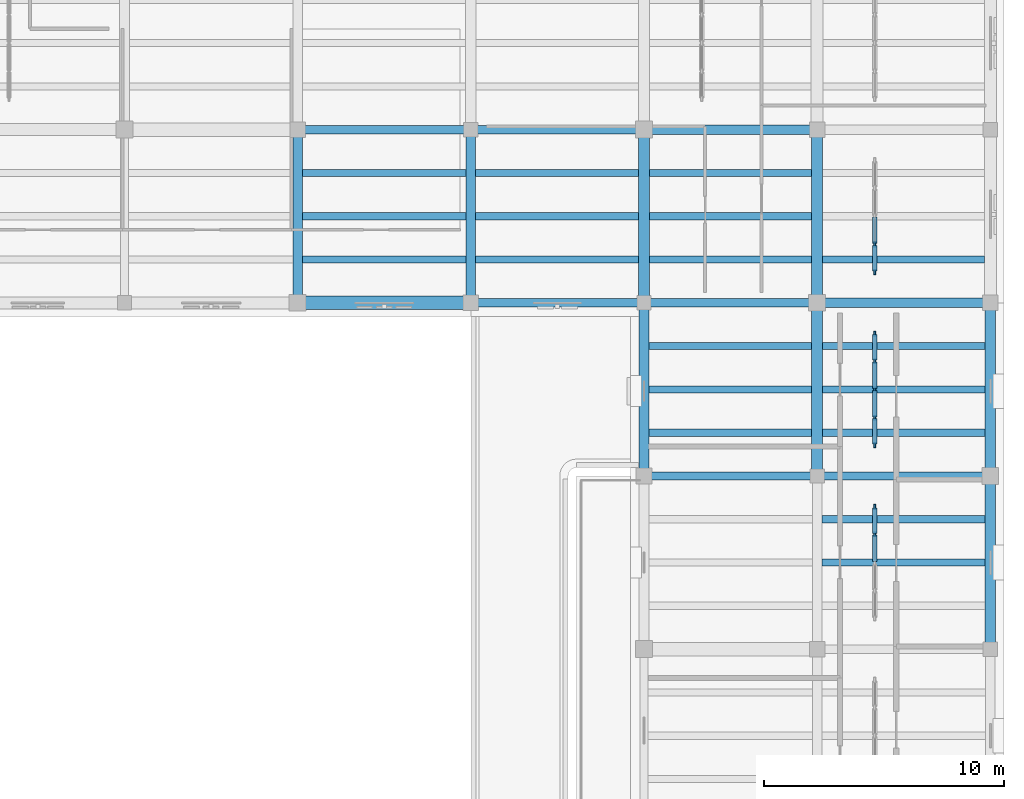
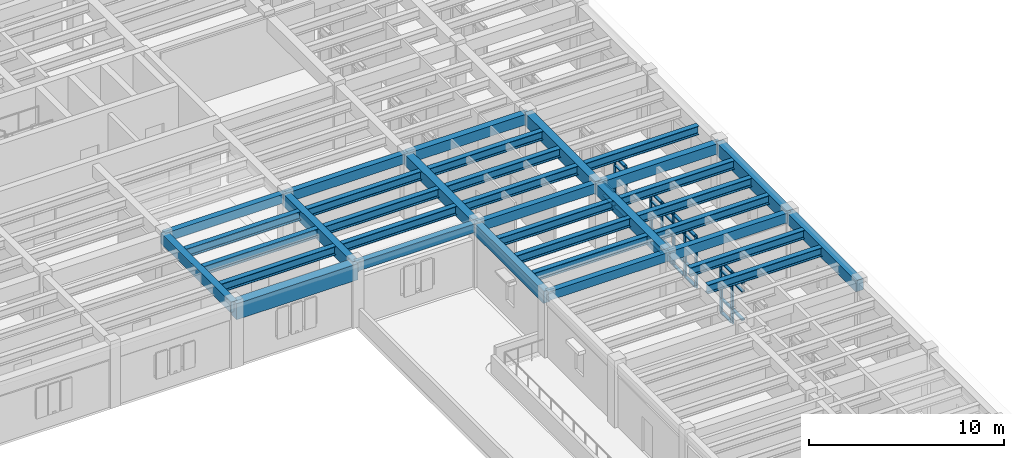
# One storey, part 8 of 40: 38 members, 35 beams, 3 elements without a shape of their own.
"""IFC4 building model written with IfcOpenShell, lengths in metres."""

from ifc_helpers import new_model, si_unit, direction, frame, origin, origin_2d, place, context, subcontext, project, spatial, rectangle, i_section, extrude, material, material_profile, profile_set, type_object, element, aggregate, save


model = new_model("IFC4")

# Units and contexts
model_context = context("Model", 3, precision=1e-05, world=origin(), true_north=direction((0.0, 1.0)))
body_context = subcontext(model_context, "Body", "Model", "MODEL_VIEW")
ifc_project = project(units=[si_unit("LENGTHUNIT", "METRE"), si_unit("AREAUNIT", "SQUARE_METRE"), si_unit("VOLUMEUNIT", "CUBIC_METRE"), si_unit("PLANEANGLEUNIT", "RADIAN"), si_unit("MASSUNIT", "GRAM", prefix="KILO")], contexts=[model_context])

# Site, building, storey
site_placement = place(None, origin())
site = spatial("IfcSite", under=ifc_project, at=site_placement, CompositionType="ELEMENT")
building_placement = place(site_placement, origin())
building = spatial("IfcBuilding", under=site, at=building_placement, Name="Mithqara Police Headquarters", CompositionType="ELEMENT")
storey_placement = place(building_placement, frame((0.0, 0.0, 13.800048828125)))
storey = spatial("IfcBuildingStorey", under=building, at=storey_placement, Name="L03", CompositionType="ELEMENT", Elevation=13.800048828125)

# Beams
ifc_material_1 = material(Name="Steel S355JR", Category="steel")
ifc_material_profile_1 = material_profile(ifc_material_1, i_section(OverallWidth=0.300048828125, OverallDepth=0.550048828125, WebThickness=0.014892578125, FlangeThickness=0.029052734375, FilletRadius=0.027099609375, at=origin_2d()), Name="HEB 550")
ifc_profile_set_1 = profile_set([ifc_material_profile_1], Name="Steel S355JR")
beam_type_1 = type_object("IfcBeamType", Name="BEAM HEB550", PredefinedType="BEAM", material=ifc_profile_set_1)
for number, where, z_axis, x_axis, name in (
    (1, (137.60009765625, 80.39990234375, 3.6650390625), (1.0, 0.0, 0.0), (0.0, 1.0, 0.0), "L03 Composite Steel Joist 20-21/M.1"),
    (2, (137.60009765625, 82.199951171875, 3.6650390625), (1.0, 0.0, 0.0), (0.0, 1.0, 0.0), "L03 Composite Steel Joist 20-21/M.2"),
    (3, (137.60009765625, 84.0, 3.6650390625), (1.0, 0.0, 0.0), (0.0, 1.0, 0.0), "L03 Composite Steel Joist 20-21/M.3"),
):
    element("IfcBeam", number, at=place(storey_placement, frame(where, z_axis=z_axis, x_axis=x_axis)), inside=storey, type_object=beam_type_1, Name=name, PredefinedType="BEAM", context=body_context, shape_type="SweptSolid", body=[
        extrude(i_section(OverallWidth=0.300048828125, OverallDepth=0.550048828125, WebThickness=0.014892578125, FlangeThickness=0.029052734375, FilletRadius=0.027099609375, at=origin_2d()), origin(), (0.0, 0.0, 1.0), 6.7998046875),
    ])
for number, where, z_axis, x_axis, name in (
    (4, (144.800048828125, 80.39990234375, 3.6650390625), (1.0, 0.0, 0.0), (0.0, 1.0, 0.0), "L03 Composite Steel Joist 21-22/M.1"),
    (5, (144.800048828125, 82.199951171875, 3.6650390625), (1.0, 0.0, 0.0), (0.0, 1.0, 0.0), "L03 Composite Steel Joist 21-22/M.2"),
    (6, (144.800048828125, 84.0, 3.6650390625), (1.0, 0.0, 0.0), (0.0, 1.0, 0.0), "L03 Composite Steel Joist 21-22/M.3"),
    (7, (152.0, 73.199951171875, 3.6650390625), (1.0, 0.0, 0.0), (0.0, 1.0, 0.0), "L03 Composite Steel Joist 22-23/L.1"),
    (8, (152.0, 75.0, 3.6650390625), (1.0, 0.0, 0.0), (0.0, 1.0, 0.0), "L03 Composite Steel Joist 22-23/L.2"),
    (9, (152.0, 76.800048828125, 3.6650390625), (1.0, 0.0, 0.0), (0.0, 1.0, 0.0), "L03 Composite Steel Joist 22-23/L.3"),
):
    element("IfcBeam", number, at=place(storey_placement, frame(where, z_axis=z_axis, x_axis=x_axis)), inside=storey, type_object=beam_type_1, Name=name, PredefinedType="BEAM", context=body_context, shape_type="SweptSolid", body=[
        extrude(i_section(OverallWidth=0.300048828125, OverallDepth=0.550048828125, WebThickness=0.014892578125, FlangeThickness=0.029052734375, FilletRadius=0.027099609375, at=origin_2d()), origin(), (0.0, 0.0, 1.0), 6.77490234375),
    ])
for number, where, z_axis, x_axis, name in (
    (10, (152.02490234375, 80.39990234375, 3.6650390625), (1.0, 0.0, 0.0), (0.0, 1.0, 0.0), "L03 Composite Steel Joist 22-23/M.1"),
    (11, (152.02490234375, 82.199951171875, 3.6650390625), (1.0, 0.0, 0.0), (0.0, 1.0, 0.0), "L03 Composite Steel Joist 22-23/M.2"),
    (12, (152.02490234375, 84.0, 3.6650390625), (1.0, 0.0, 0.0), (0.0, 1.0, 0.0), "L03 Composite Steel Joist 22-23/M.3"),
):
    element("IfcBeam", number, at=place(storey_placement, frame(where, z_axis=z_axis, x_axis=x_axis)), inside=storey, type_object=beam_type_1, Name=name, PredefinedType="BEAM", context=body_context, shape_type="SweptSolid", body=[
        extrude(i_section(OverallWidth=0.300048828125, OverallDepth=0.550048828125, WebThickness=0.014892578125, FlangeThickness=0.029052734375, FilletRadius=0.027099609375, at=origin_2d()), origin(), (0.0, 0.0, 1.0), 6.75),
    ])
for number, where, z_axis, x_axis, name in (
    (13, (159.199951171875, 67.800048828125, 3.6650390625), (1.0, 0.0, 0.0), (0.0, 1.0, 0.0), "L03 Composite Steel Joist 23-24/K.2"),
    (14, (159.199951171875, 69.60009765625, 3.6650390625), (1.0, 0.0, 0.0), (0.0, 1.0, 0.0), "L03 Composite Steel Joist 23-24/K.3"),
):
    element("IfcBeam", number, at=place(storey_placement, frame(where, z_axis=z_axis, x_axis=x_axis)), inside=storey, type_object=beam_type_1, Name=name, PredefinedType="BEAM", context=body_context, shape_type="SweptSolid", body=[
        extrude(i_section(OverallWidth=0.300048828125, OverallDepth=0.550048828125, WebThickness=0.014892578125, FlangeThickness=0.029052734375, FilletRadius=0.027099609375, at=origin_2d()), origin(), (0.0, 0.0, 1.0), 6.775146484375),
    ])
for number, where, z_axis, x_axis, name in (
    (15, (159.22509765625, 73.199951171875, 3.6650390625), (1.0, 0.0, 0.0), (0.0, 1.0, 0.0), "L03 Composite Steel Joist 23-24/L.1"),
    (16, (159.22509765625, 75.0, 3.6650390625), (1.0, 0.0, 0.0), (0.0, 1.0, 0.0), "L03 Composite Steel Joist 23-24/L.2"),
    (17, (159.22509765625, 76.800048828125, 3.6650390625), (1.0, 0.0, 0.0), (0.0, 1.0, 0.0), "L03 Composite Steel Joist 23-24/L.3"),
):
    element("IfcBeam", number, at=place(storey_placement, frame(where, z_axis=z_axis, x_axis=x_axis)), inside=storey, type_object=beam_type_1, Name=name, PredefinedType="BEAM", context=body_context, shape_type="SweptSolid", body=[
        extrude(i_section(OverallWidth=0.300048828125, OverallDepth=0.550048828125, WebThickness=0.014892578125, FlangeThickness=0.029052734375, FilletRadius=0.027099609375, at=origin_2d()), origin(), (0.0, 0.0, 1.0), 6.75),
    ])
beam_1_placement = place(storey_placement, frame((159.22509765625, 80.39990234375, 3.6650390625), z_axis=(1.0, 0.0, 0.0), x_axis=(0.0, 1.0, 0.0)))
element("IfcBeam", 18, at=beam_1_placement, inside=storey, type_object=beam_type_1, Name="L03 Composite Steel Joist 23-24/M.1", PredefinedType="BEAM", context=body_context, shape_type="SweptSolid", body=[
    extrude(i_section(OverallWidth=0.300048828125, OverallDepth=0.550048828125, WebThickness=0.014892578125, FlangeThickness=0.029052734375, FilletRadius=0.027099609375, at=origin_2d()), origin(), (0.0, 0.0, 1.0), 6.724853515625),
])
ifc_material_2 = material(Name="Concrete C40/50", Category="concrete")
ifc_material_profile_2 = material_profile(ifc_material_2, rectangle(XDim=0.35009765625, YDim=0.550048828125, at=origin_2d()), Name="RC 350x550")
ifc_profile_set_2 = profile_set([ifc_material_profile_2], Name="Concrete C40/50")
beam_type_2 = type_object("IfcBeamType", Name="BEAM RC350X550", PredefinedType="BEAM", material=ifc_profile_set_2)
beam_2_placement = place(storey_placement, frame((137.39990234375, 85.800048828125, 3.6650390625), z_axis=(1.0, 0.0, 0.0), x_axis=(0.0, 1.0, 0.0)))
element("IfcBeam", 19, at=beam_2_placement, inside=storey, type_object=beam_type_2, Name="L03 Girder 20-21/N", PredefinedType="BEAM", context=body_context, shape_type="SweptSolid", body=[
    extrude(rectangle(XDim=0.35009765625, YDim=0.550048828125, at=origin_2d()), origin(), (0.0, 0.0, 1.0), 7.2001953125),
])
for number, where, z_axis, x_axis, name in (
    (20, (144.60009765625, 78.60009765625, 3.6650390625), (1.0, 0.0, 0.0), (0.0, 1.0, 0.0), "L03 Girder 21-22/M"),
    (21, (151.800048828125, 71.39990234375, 3.6650390625), (1.0, 0.0, 0.0), (0.0, 1.0, 0.0), "L03 Girder 22-23/L"),
):
    element("IfcBeam", number, at=place(storey_placement, frame(where, z_axis=z_axis, x_axis=x_axis)), inside=storey, type_object=beam_type_2, Name=name, PredefinedType="BEAM", context=body_context, shape_type="SweptSolid", body=[
        extrude(rectangle(XDim=0.35009765625, YDim=0.550048828125, at=origin_2d()), origin(), (0.0, 0.0, 1.0), 7.199951171875),
    ])
ifc_material_profile_3 = material_profile(ifc_material_2, rectangle(XDim=0.35009765625, YDim=0.60009765625, at=origin_2d()), Name="RC 350x600")
ifc_profile_set_3 = profile_set([ifc_material_profile_3], Name="Concrete C40/50")
beam_type_3 = type_object("IfcBeamType", Name="BEAM RC350X600", PredefinedType="BEAM", material=ifc_profile_set_3)
for number, where, z_axis, x_axis, name in (
    (22, (144.60009765625, 85.800048828125, 3.639892578125), (1.0, 0.0, 0.0), (0.0, 1.0, 0.0), "L03 Girder 21-22/N"),
    (23, (151.800048828125, 78.60009765625, 3.639892578125), (1.0, 0.0, 0.0), (0.0, 1.0, 0.0), "L03 Girder 22-23/M"),
    (24, (159.0, 71.39990234375, 3.639892578125), (1.0, 0.0, 0.0), (0.0, 1.0, 0.0), "L03 Girder 23-24/L"),
):
    element("IfcBeam", number, at=place(storey_placement, frame(where, z_axis=z_axis, x_axis=x_axis)), inside=storey, type_object=beam_type_3, Name=name, PredefinedType="BEAM", context=body_context, shape_type="SweptSolid", body=[
        extrude(rectangle(XDim=0.35009765625, YDim=0.60009765625, at=origin_2d()), origin(), (0.0, 0.0, 1.0), 7.199951171875),
    ])
ifc_material_profile_4 = material_profile(ifc_material_2, rectangle(XDim=0.39990234375, YDim=0.64990234375, at=origin_2d()), Name="RC 400x650")
ifc_profile_set_4 = profile_set([ifc_material_profile_4], Name="Concrete C40/50")
beam_type_4 = type_object("IfcBeamType", Name="BEAM RC400X650", PredefinedType="BEAM", material=ifc_profile_set_4)
for number, where, z_axis, x_axis, name in (
    (25, (137.39990234375, 78.60009765625, 3.614990234375), (0.0, 1.0, 0.0), (-1.0, 0.0, 0.0), "L03 Girder 20/M-N"),
    (26, (151.800048828125, 85.800048828125, 3.614990234375), (1.0, 0.0, 0.0), (0.0, 1.0, 0.0), "L03 Girder 22-23/N"),
    (27, (159.0, 78.60009765625, 3.614990234375), (1.0, 0.0, 0.0), (0.0, 1.0, 0.0), "L03 Girder 23-24/M"),
):
    element("IfcBeam", number, at=place(storey_placement, frame(where, z_axis=z_axis, x_axis=x_axis)), inside=storey, type_object=beam_type_4, Name=name, PredefinedType="BEAM", context=body_context, shape_type="SweptSolid", body=[
        extrude(rectangle(XDim=0.39990234375, YDim=0.64990234375, at=origin_2d()), origin(), (0.0, 0.0, 1.0), 7.199951171875),
    ])
ifc_material_profile_5 = material_profile(ifc_material_2, rectangle(XDim=0.39990234375, YDim=0.75, at=origin_2d()), Name="RC 400x750")
ifc_profile_set_5 = profile_set([ifc_material_profile_5], Name="Concrete C40/50")
beam_type_5 = type_object("IfcBeamType", Name="BEAM RC400X750", PredefinedType="BEAM", material=ifc_profile_set_5)
beam_3_placement = place(storey_placement, frame((144.60009765625, 78.60009765625, 3.56494140625), z_axis=(0.0, 1.0, 0.0), x_axis=(-1.0, 0.0, 0.0)))
element("IfcBeam", 28, at=beam_3_placement, inside=storey, type_object=beam_type_5, Name="L03 Girder 21/M-N", PredefinedType="BEAM", context=body_context, shape_type="SweptSolid", body=[
    extrude(rectangle(XDim=0.39990234375, YDim=0.75, at=origin_2d()), origin(), (0.0, 0.0, 1.0), 7.199951171875),
])
beam_4_placement = place(storey_placement, frame((151.800048828125, 71.39990234375, 3.56494140625), z_axis=(0.0, 1.0, 0.0), x_axis=(-1.0, 0.0, 0.0)))
element("IfcBeam", 29, at=beam_4_placement, inside=storey, type_object=beam_type_5, Name="L03 Girder 22/L-M", PredefinedType="BEAM", context=body_context, shape_type="SweptSolid", body=[
    extrude(rectangle(XDim=0.39990234375, YDim=0.75, at=origin_2d()), origin(), (0.0, 0.0, 1.0), 7.2001953125),
])
ifc_material_profile_6 = material_profile(ifc_material_2, rectangle(XDim=0.449951171875, YDim=0.699951171875, at=origin_2d()), Name="RC 450x700")
ifc_profile_set_6 = profile_set([ifc_material_profile_6], Name="Concrete C40/50")
beam_type_6 = type_object("IfcBeamType", Name="BEAM RC450X700", PredefinedType="BEAM", material=ifc_profile_set_6)
beam_5_placement = place(storey_placement, frame((151.800048828125, 78.60009765625, 3.58984375), z_axis=(0.0, 1.0, 0.0), x_axis=(-1.0, 0.0, 0.0)))
element("IfcBeam", 30, at=beam_5_placement, inside=storey, type_object=beam_type_6, Name="L03 Girder 22/M-N", PredefinedType="BEAM", context=body_context, shape_type="SweptSolid", body=[
    extrude(rectangle(XDim=0.449951171875, YDim=0.699951171875, at=origin_2d()), origin(), (0.0, 0.0, 1.0), 7.199951171875),
])
beam_6_placement = place(storey_placement, frame((159.0, 71.39990234375, 3.58984375), z_axis=(0.0, 1.0, 0.0), x_axis=(-1.0, 0.0, 0.0)))
element("IfcBeam", 31, at=beam_6_placement, inside=storey, type_object=beam_type_6, Name="L03 Girder 23/L-M", PredefinedType="BEAM", context=body_context, shape_type="SweptSolid", body=[
    extrude(rectangle(XDim=0.449951171875, YDim=0.699951171875, at=origin_2d()), origin(), (0.0, 0.0, 1.0), 7.2001953125),
])
beam_7_placement = place(storey_placement, frame((166.199951171875, 64.199951171875, 3.58984375), z_axis=(0.0, 1.0, 0.0), x_axis=(-1.0, 0.0, 0.0)))
element("IfcBeam", 32, at=beam_7_placement, inside=storey, type_object=beam_type_6, Name="L03 Girder 24/K-L", PredefinedType="BEAM", context=body_context, shape_type="SweptSolid", body=[
    extrude(rectangle(XDim=0.449951171875, YDim=0.699951171875, at=origin_2d()), origin(), (0.0, 0.0, 1.0), 7.199951171875),
])
ifc_material_profile_7 = material_profile(ifc_material_2, rectangle(XDim=0.449951171875, YDim=0.800048828125, at=origin_2d()), Name="RC 450x800")
ifc_profile_set_7 = profile_set([ifc_material_profile_7], Name="Concrete C40/50")
beam_type_7 = type_object("IfcBeamType", Name="BEAM RC450X800", PredefinedType="BEAM", material=ifc_profile_set_7)
beam_8_placement = place(storey_placement, frame((159.0, 78.60009765625, 3.5400390625), z_axis=(0.0, 1.0, 0.0), x_axis=(-1.0, 0.0, 0.0)))
element("IfcBeam", 33, at=beam_8_placement, inside=storey, type_object=beam_type_7, Name="L03 Girder 23/M-N", PredefinedType="BEAM", context=body_context, shape_type="SweptSolid", body=[
    extrude(rectangle(XDim=0.449951171875, YDim=0.800048828125, at=origin_2d()), origin(), (0.0, 0.0, 1.0), 7.199951171875),
])
beam_9_placement = place(storey_placement, frame((166.199951171875, 71.39990234375, 3.5400390625), z_axis=(0.0, 1.0, 0.0), x_axis=(-1.0, 0.0, 0.0)))
element("IfcBeam", 34, at=beam_9_placement, inside=storey, type_object=beam_type_7, Name="L03 Girder 24/L-M", PredefinedType="BEAM", context=body_context, shape_type="SweptSolid", body=[
    extrude(rectangle(XDim=0.449951171875, YDim=0.800048828125, at=origin_2d()), origin(), (0.0, 0.0, 1.0), 7.2001953125),
])
ifc_material_3 = material(Name="Concrete C50/60", Category="concrete")
ifc_material_profile_8 = material_profile(ifc_material_3, rectangle(XDim=0.550048828125, YDim=1.0, at=origin_2d()), Name="RC 550x1000")
ifc_profile_set_8 = profile_set([ifc_material_profile_8], Name="Concrete C50/60")
beam_type_8 = type_object("IfcBeamType", Name="BEAM RC550X1000", PredefinedType="BEAM", material=ifc_profile_set_8)
beam_10_placement = place(storey_placement, frame((137.39990234375, 78.60009765625, 3.43994140625), z_axis=(1.0, 0.0, 0.0), x_axis=(0.0, 1.0, 0.0)))
element("IfcBeam", 35, at=beam_10_placement, inside=storey, type_object=beam_type_8, Name="L03 Girder 20-21/M", PredefinedType="BEAM", context=body_context, shape_type="SweptSolid", body=[
    extrude(rectangle(XDim=0.550048828125, YDim=1.0, at=origin_2d()), origin(), (0.0, 0.0, 1.0), 7.2001953125),
])

# Curtain wall, members
ifc_material_4 = material(Name="Bronze anodised aluminium 6063-T6", Category="aluminium")
curtain_wall_type = type_object("IfcCurtainWallType", Name="CURTAIN WALL 4700X3220", PredefinedType="USERDEFINED", material=ifc_material_4)
curtain_wall_1_placement = place(storey_placement, origin())
curtain_wall_1 = element("IfcCurtainWall", 36, at=curtain_wall_1_placement, inside=storey, type_object=curtain_wall_type, Name="L03 Unitised Glazing CW-16 (CW-INT-L03-X22-Y09-0)", ObjectType="UNITISED GLAZING", PredefinedType="USERDEFINED")
ifc_material_profile_9 = material_profile(ifc_material_4, rectangle(XDim=0.074951171875, YDim=0.219970703125, at=origin_2d()), Name="CWM 75x220")
ifc_profile_set_9 = profile_set([ifc_material_profile_9], Name="Bronze anodised aluminium 6063-T6")
member_type_1 = type_object("IfcMemberType", Name="CWMULLION 75X220", PredefinedType="MULLION", material=ifc_profile_set_9)
member_1_placement = place(storey_placement, frame((161.39990234375, 68.97509765625, 0.0), z_axis=(0.0, 0.0, 1.0), x_axis=(-1.0, 0.0, 0.0)))
member_1 = element("IfcMember", 37, at=member_1_placement, type_object=member_type_1, Name="CW-16 mullion 4", PredefinedType="MULLION", context=body_context, shape_type="SweptSolid", body=[
    extrude(rectangle(XDim=0.074951171875, YDim=0.219970703125, at=origin_2d()), origin(), (0.0, 0.0, 1.0), 3.219970703125),
])
member_2_placement = place(storey_placement, frame((161.39990234375, 70.112548828125, 0.0), z_axis=(0.0, 0.0, 1.0), x_axis=(-1.0, 0.0, 0.0)))
member_2 = element("IfcMember", 38, at=member_2_placement, type_object=member_type_1, Name="CW-16 mullion 5", PredefinedType="MULLION", context=body_context, shape_type="SweptSolid", body=[
    extrude(rectangle(XDim=0.074951171875, YDim=0.219970703125, at=origin_2d()), origin(), (0.0, 0.0, 1.0), 3.219970703125),
])

curtain_wall_2_placement = place(storey_placement, origin())
curtain_wall_2 = element("IfcCurtainWall", 39, at=curtain_wall_2_placement, inside=storey, type_object=curtain_wall_type, Name="L03 Unitised Glazing CW-16 (CW-INT-L03-X22-Y10-0)", ObjectType="UNITISED GLAZING", PredefinedType="USERDEFINED")
member_3_placement = place(storey_placement, frame((161.39990234375, 72.6875, 0.0), z_axis=(0.0, 0.0, 1.0), x_axis=(-1.0, 0.0, 0.0)))
member_3 = element("IfcMember", 40, at=member_3_placement, type_object=member_type_1, Name="CW-16 mullion 1", PredefinedType="MULLION", context=body_context, shape_type="SweptSolid", body=[
    extrude(rectangle(XDim=0.074951171875, YDim=0.219970703125, at=origin_2d()), origin(), (0.0, 0.0, 1.0), 3.219970703125),
])
member_4_placement = place(storey_placement, frame((161.39990234375, 73.824951171875, 0.0), z_axis=(0.0, 0.0, 1.0), x_axis=(-1.0, 0.0, 0.0)))
member_4 = element("IfcMember", 41, at=member_4_placement, type_object=member_type_1, Name="CW-16 mullion 2", PredefinedType="MULLION", context=body_context, shape_type="SweptSolid", body=[
    extrude(rectangle(XDim=0.074951171875, YDim=0.219970703125, at=origin_2d()), origin(), (0.0, 0.0, 1.0), 3.219970703125),
])
member_5_placement = place(storey_placement, frame((161.39990234375, 75.0, 0.0), z_axis=(0.0, 0.0, 1.0), x_axis=(-1.0, 0.0, 0.0)))
member_5 = element("IfcMember", 42, at=member_5_placement, type_object=member_type_1, Name="CW-16 mullion 3", PredefinedType="MULLION", context=body_context, shape_type="SweptSolid", body=[
    extrude(rectangle(XDim=0.074951171875, YDim=0.219970703125, at=origin_2d()), origin(), (0.0, 0.0, 1.0), 3.219970703125),
])
member_6_placement = place(storey_placement, frame((161.39990234375, 76.175048828125, 0.0), z_axis=(0.0, 0.0, 1.0), x_axis=(-1.0, 0.0, 0.0)))
member_6 = element("IfcMember", 43, at=member_6_placement, type_object=member_type_1, Name="CW-16 mullion 4", PredefinedType="MULLION", context=body_context, shape_type="SweptSolid", body=[
    extrude(rectangle(XDim=0.074951171875, YDim=0.219970703125, at=origin_2d()), origin(), (0.0, 0.0, 1.0), 3.219970703125),
])
member_7_placement = place(storey_placement, frame((161.39990234375, 77.3125, 0.0), z_axis=(0.0, 0.0, 1.0), x_axis=(-1.0, 0.0, 0.0)))
member_7 = element("IfcMember", 44, at=member_7_placement, type_object=member_type_1, Name="CW-16 mullion 5", PredefinedType="MULLION", context=body_context, shape_type="SweptSolid", body=[
    extrude(rectangle(XDim=0.074951171875, YDim=0.219970703125, at=origin_2d()), origin(), (0.0, 0.0, 1.0), 3.219970703125),
])

curtain_wall_3_placement = place(storey_placement, origin())
curtain_wall_3 = element("IfcCurtainWall", 45, at=curtain_wall_3_placement, inside=storey, type_object=curtain_wall_type, Name="L03 Unitised Glazing CW-16 (CW-INT-L03-X22-Y11-0)", ObjectType="UNITISED GLAZING", PredefinedType="USERDEFINED")
member_8_placement = place(storey_placement, frame((161.39990234375, 79.887451171875, 0.0), z_axis=(0.0, 0.0, 1.0), x_axis=(-1.0, 0.0, 0.0)))
member_8 = element("IfcMember", 46, at=member_8_placement, type_object=member_type_1, Name="CW-16 mullion 1", PredefinedType="MULLION", context=body_context, shape_type="SweptSolid", body=[
    extrude(rectangle(XDim=0.074951171875, YDim=0.219970703125, at=origin_2d()), origin(), (0.0, 0.0, 1.0), 3.219970703125),
])
member_9_placement = place(storey_placement, frame((161.39990234375, 81.02490234375, 0.0), z_axis=(0.0, 0.0, 1.0), x_axis=(-1.0, 0.0, 0.0)))
member_9 = element("IfcMember", 47, at=member_9_placement, type_object=member_type_1, Name="CW-16 mullion 2", PredefinedType="MULLION", context=body_context, shape_type="SweptSolid", body=[
    extrude(rectangle(XDim=0.074951171875, YDim=0.219970703125, at=origin_2d()), origin(), (0.0, 0.0, 1.0), 3.219970703125),
])

# Member
ifc_material_profile_10 = material_profile(ifc_material_4, rectangle(XDim=0.179931640625, YDim=0.074951171875, at=origin_2d()), Name="CWT 180x75")
ifc_profile_set_10 = profile_set([ifc_material_profile_10], Name="Bronze anodised aluminium 6063-T6")
member_type_2 = type_object("IfcMemberType", Name="CWTRANSOM 180X75", PredefinedType="USERDEFINED", material=ifc_profile_set_10)
member_10_placement = place(storey_placement, frame((161.39990234375, 67.83740234375, 0.89990234375), z_axis=(0.0, 1.0, 0.0), x_axis=(-1.0, 0.0, 0.0)))
member_10 = element("IfcMember", 48, at=member_10_placement, type_object=member_type_2, Name="CW-16 transom 3.2", ObjectType="TRANSOM", PredefinedType="USERDEFINED", context=body_context, shape_type="SweptSolid", body=[
    extrude(rectangle(XDim=0.179931640625, YDim=0.074951171875, at=origin_2d()), origin(), (0.0, 0.0, 1.0), 1.10009765625),
])

member_11_placement = place(storey_placement, frame((161.39990234375, 67.83740234375, 2.669921875), z_axis=(0.0, 1.0, 0.0), x_axis=(-1.0, 0.0, 0.0)))
member_11 = element("IfcMember", 49, at=member_11_placement, type_object=member_type_2, Name="CW-16 transom 3.3", ObjectType="TRANSOM", PredefinedType="USERDEFINED", context=body_context, shape_type="SweptSolid", body=[
    extrude(rectangle(XDim=0.179931640625, YDim=0.074951171875, at=origin_2d()), origin(), (0.0, 0.0, 1.0), 1.10009765625),
])

member_12_placement = place(storey_placement, frame((161.39990234375, 67.83740234375, 3.182373046875), z_axis=(0.0, 1.0, 0.0), x_axis=(-1.0, 0.0, 0.0)))
member_12 = element("IfcMember", 50, at=member_12_placement, type_object=member_type_2, Name="CW-16 transom 3.4", ObjectType="TRANSOM", PredefinedType="USERDEFINED", context=body_context, shape_type="SweptSolid", body=[
    extrude(rectangle(XDim=0.179931640625, YDim=0.074951171875, at=origin_2d()), origin(), (0.0, 0.0, 1.0), 1.10009765625),
])

member_13_placement = place(storey_placement, frame((161.39990234375, 69.012451171875, 0.037353515625), z_axis=(0.0, 1.0, 0.0), x_axis=(-1.0, 0.0, 0.0)))
member_13 = element("IfcMember", 51, at=member_13_placement, type_object=member_type_2, Name="CW-16 transom 4.1", ObjectType="TRANSOM", PredefinedType="USERDEFINED", context=body_context, shape_type="SweptSolid", body=[
    extrude(rectangle(XDim=0.179931640625, YDim=0.074951171875, at=origin_2d()), origin(), (0.0, 0.0, 1.0), 1.0625),
])

member_14_placement = place(storey_placement, frame((161.39990234375, 69.012451171875, 0.89990234375), z_axis=(0.0, 1.0, 0.0), x_axis=(-1.0, 0.0, 0.0)))
member_14 = element("IfcMember", 52, at=member_14_placement, type_object=member_type_2, Name="CW-16 transom 4.2", ObjectType="TRANSOM", PredefinedType="USERDEFINED", context=body_context, shape_type="SweptSolid", body=[
    extrude(rectangle(XDim=0.179931640625, YDim=0.074951171875, at=origin_2d()), origin(), (0.0, 0.0, 1.0), 1.0625),
])

member_15_placement = place(storey_placement, frame((161.39990234375, 69.012451171875, 2.669921875), z_axis=(0.0, 1.0, 0.0), x_axis=(-1.0, 0.0, 0.0)))
member_15 = element("IfcMember", 53, at=member_15_placement, type_object=member_type_2, Name="CW-16 transom 4.3", ObjectType="TRANSOM", PredefinedType="USERDEFINED", context=body_context, shape_type="SweptSolid", body=[
    extrude(rectangle(XDim=0.179931640625, YDim=0.074951171875, at=origin_2d()), origin(), (0.0, 0.0, 1.0), 1.0625),
])

member_16_placement = place(storey_placement, frame((161.39990234375, 69.012451171875, 3.182373046875), z_axis=(0.0, 1.0, 0.0), x_axis=(-1.0, 0.0, 0.0)))
member_16 = element("IfcMember", 54, at=member_16_placement, type_object=member_type_2, Name="CW-16 transom 4.4", ObjectType="TRANSOM", PredefinedType="USERDEFINED", context=body_context, shape_type="SweptSolid", body=[
    extrude(rectangle(XDim=0.179931640625, YDim=0.074951171875, at=origin_2d()), origin(), (0.0, 0.0, 1.0), 1.0625),
])

aggregate(curtain_wall_1, [member_1, member_2, member_10, member_11, member_12, member_13, member_14, member_15, member_16])

member_17_placement = place(storey_placement, frame((161.39990234375, 72.72509765625, 0.037353515625), z_axis=(0.0, 1.0, 0.0), x_axis=(-1.0, 0.0, 0.0)))
member_17 = element("IfcMember", 55, at=member_17_placement, type_object=member_type_2, Name="CW-16 transom 1.1", ObjectType="TRANSOM", PredefinedType="USERDEFINED", context=body_context, shape_type="SweptSolid", body=[
    extrude(rectangle(XDim=0.179931640625, YDim=0.074951171875, at=origin_2d()), origin(), (0.0, 0.0, 1.0), 1.0625),
])

member_18_placement = place(storey_placement, frame((161.39990234375, 72.72509765625, 0.89990234375), z_axis=(0.0, 1.0, 0.0), x_axis=(-1.0, 0.0, 0.0)))
member_18 = element("IfcMember", 56, at=member_18_placement, type_object=member_type_2, Name="CW-16 transom 1.2", ObjectType="TRANSOM", PredefinedType="USERDEFINED", context=body_context, shape_type="SweptSolid", body=[
    extrude(rectangle(XDim=0.179931640625, YDim=0.074951171875, at=origin_2d()), origin(), (0.0, 0.0, 1.0), 1.0625),
])

member_19_placement = place(storey_placement, frame((161.39990234375, 72.72509765625, 2.669921875), z_axis=(0.0, 1.0, 0.0), x_axis=(-1.0, 0.0, 0.0)))
member_19 = element("IfcMember", 57, at=member_19_placement, type_object=member_type_2, Name="CW-16 transom 1.3", ObjectType="TRANSOM", PredefinedType="USERDEFINED", context=body_context, shape_type="SweptSolid", body=[
    extrude(rectangle(XDim=0.179931640625, YDim=0.074951171875, at=origin_2d()), origin(), (0.0, 0.0, 1.0), 1.0625),
])

member_20_placement = place(storey_placement, frame((161.39990234375, 72.72509765625, 3.182373046875), z_axis=(0.0, 1.0, 0.0), x_axis=(-1.0, 0.0, 0.0)))
member_20 = element("IfcMember", 58, at=member_20_placement, type_object=member_type_2, Name="CW-16 transom 1.4", ObjectType="TRANSOM", PredefinedType="USERDEFINED", context=body_context, shape_type="SweptSolid", body=[
    extrude(rectangle(XDim=0.179931640625, YDim=0.074951171875, at=origin_2d()), origin(), (0.0, 0.0, 1.0), 1.0625),
])

member_21_placement = place(storey_placement, frame((161.39990234375, 73.862548828125, 0.037353515625), z_axis=(0.0, 1.0, 0.0), x_axis=(-1.0, 0.0, 0.0)))
member_21 = element("IfcMember", 59, at=member_21_placement, type_object=member_type_2, Name="CW-16 transom 2.1", ObjectType="TRANSOM", PredefinedType="USERDEFINED", context=body_context, shape_type="SweptSolid", body=[
    extrude(rectangle(XDim=0.179931640625, YDim=0.074951171875, at=origin_2d()), origin(), (0.0, 0.0, 1.0), 1.099853515625),
])

member_22_placement = place(storey_placement, frame((161.39990234375, 73.862548828125, 0.89990234375), z_axis=(0.0, 1.0, 0.0), x_axis=(-1.0, 0.0, 0.0)))
member_22 = element("IfcMember", 60, at=member_22_placement, type_object=member_type_2, Name="CW-16 transom 2.2", ObjectType="TRANSOM", PredefinedType="USERDEFINED", context=body_context, shape_type="SweptSolid", body=[
    extrude(rectangle(XDim=0.179931640625, YDim=0.074951171875, at=origin_2d()), origin(), (0.0, 0.0, 1.0), 1.099853515625),
])

member_23_placement = place(storey_placement, frame((161.39990234375, 73.862548828125, 2.669921875), z_axis=(0.0, 1.0, 0.0), x_axis=(-1.0, 0.0, 0.0)))
member_23 = element("IfcMember", 61, at=member_23_placement, type_object=member_type_2, Name="CW-16 transom 2.3", ObjectType="TRANSOM", PredefinedType="USERDEFINED", context=body_context, shape_type="SweptSolid", body=[
    extrude(rectangle(XDim=0.179931640625, YDim=0.074951171875, at=origin_2d()), origin(), (0.0, 0.0, 1.0), 1.099853515625),
])

member_24_placement = place(storey_placement, frame((161.39990234375, 73.862548828125, 3.182373046875), z_axis=(0.0, 1.0, 0.0), x_axis=(-1.0, 0.0, 0.0)))
member_24 = element("IfcMember", 62, at=member_24_placement, type_object=member_type_2, Name="CW-16 transom 2.4", ObjectType="TRANSOM", PredefinedType="USERDEFINED", context=body_context, shape_type="SweptSolid", body=[
    extrude(rectangle(XDim=0.179931640625, YDim=0.074951171875, at=origin_2d()), origin(), (0.0, 0.0, 1.0), 1.099853515625),
])

member_25_placement = place(storey_placement, frame((161.39990234375, 75.03759765625, 0.037353515625), z_axis=(0.0, 1.0, 0.0), x_axis=(-1.0, 0.0, 0.0)))
member_25 = element("IfcMember", 63, at=member_25_placement, type_object=member_type_2, Name="CW-16 transom 3.1", ObjectType="TRANSOM", PredefinedType="USERDEFINED", context=body_context, shape_type="SweptSolid", body=[
    extrude(rectangle(XDim=0.179931640625, YDim=0.074951171875, at=origin_2d()), origin(), (0.0, 0.0, 1.0), 1.099853515625),
])

member_26_placement = place(storey_placement, frame((161.39990234375, 75.03759765625, 0.89990234375), z_axis=(0.0, 1.0, 0.0), x_axis=(-1.0, 0.0, 0.0)))
member_26 = element("IfcMember", 64, at=member_26_placement, type_object=member_type_2, Name="CW-16 transom 3.2", ObjectType="TRANSOM", PredefinedType="USERDEFINED", context=body_context, shape_type="SweptSolid", body=[
    extrude(rectangle(XDim=0.179931640625, YDim=0.074951171875, at=origin_2d()), origin(), (0.0, 0.0, 1.0), 1.099853515625),
])

member_27_placement = place(storey_placement, frame((161.39990234375, 75.03759765625, 2.669921875), z_axis=(0.0, 1.0, 0.0), x_axis=(-1.0, 0.0, 0.0)))
member_27 = element("IfcMember", 65, at=member_27_placement, type_object=member_type_2, Name="CW-16 transom 3.3", ObjectType="TRANSOM", PredefinedType="USERDEFINED", context=body_context, shape_type="SweptSolid", body=[
    extrude(rectangle(XDim=0.179931640625, YDim=0.074951171875, at=origin_2d()), origin(), (0.0, 0.0, 1.0), 1.099853515625),
])

member_28_placement = place(storey_placement, frame((161.39990234375, 75.03759765625, 3.182373046875), z_axis=(0.0, 1.0, 0.0), x_axis=(-1.0, 0.0, 0.0)))
member_28 = element("IfcMember", 66, at=member_28_placement, type_object=member_type_2, Name="CW-16 transom 3.4", ObjectType="TRANSOM", PredefinedType="USERDEFINED", context=body_context, shape_type="SweptSolid", body=[
    extrude(rectangle(XDim=0.179931640625, YDim=0.074951171875, at=origin_2d()), origin(), (0.0, 0.0, 1.0), 1.099853515625),
])

member_29_placement = place(storey_placement, frame((161.39990234375, 76.21240234375, 0.037353515625), z_axis=(0.0, 1.0, 0.0), x_axis=(-1.0, 0.0, 0.0)))
member_29 = element("IfcMember", 67, at=member_29_placement, type_object=member_type_2, Name="CW-16 transom 4.1", ObjectType="TRANSOM", PredefinedType="USERDEFINED", context=body_context, shape_type="SweptSolid", body=[
    extrude(rectangle(XDim=0.179931640625, YDim=0.074951171875, at=origin_2d()), origin(), (0.0, 0.0, 1.0), 1.0625),
])

member_30_placement = place(storey_placement, frame((161.39990234375, 76.21240234375, 0.89990234375), z_axis=(0.0, 1.0, 0.0), x_axis=(-1.0, 0.0, 0.0)))
member_30 = element("IfcMember", 68, at=member_30_placement, type_object=member_type_2, Name="CW-16 transom 4.2", ObjectType="TRANSOM", PredefinedType="USERDEFINED", context=body_context, shape_type="SweptSolid", body=[
    extrude(rectangle(XDim=0.179931640625, YDim=0.074951171875, at=origin_2d()), origin(), (0.0, 0.0, 1.0), 1.0625),
])

member_31_placement = place(storey_placement, frame((161.39990234375, 76.21240234375, 2.669921875), z_axis=(0.0, 1.0, 0.0), x_axis=(-1.0, 0.0, 0.0)))
member_31 = element("IfcMember", 69, at=member_31_placement, type_object=member_type_2, Name="CW-16 transom 4.3", ObjectType="TRANSOM", PredefinedType="USERDEFINED", context=body_context, shape_type="SweptSolid", body=[
    extrude(rectangle(XDim=0.179931640625, YDim=0.074951171875, at=origin_2d()), origin(), (0.0, 0.0, 1.0), 1.0625),
])

member_32_placement = place(storey_placement, frame((161.39990234375, 76.21240234375, 3.182373046875), z_axis=(0.0, 1.0, 0.0), x_axis=(-1.0, 0.0, 0.0)))
member_32 = element("IfcMember", 70, at=member_32_placement, type_object=member_type_2, Name="CW-16 transom 4.4", ObjectType="TRANSOM", PredefinedType="USERDEFINED", context=body_context, shape_type="SweptSolid", body=[
    extrude(rectangle(XDim=0.179931640625, YDim=0.074951171875, at=origin_2d()), origin(), (0.0, 0.0, 1.0), 1.0625),
])

aggregate(curtain_wall_2, [member_3, member_4, member_5, member_6, member_7, member_17, member_18, member_19, member_20, member_21, member_22, member_23, member_24, member_25, member_26, member_27, member_28, member_29, member_30, member_31, member_32])

member_33_placement = place(storey_placement, frame((161.39990234375, 79.925048828125, 0.037353515625), z_axis=(0.0, 1.0, 0.0), x_axis=(-1.0, 0.0, 0.0)))
member_33 = element("IfcMember", 71, at=member_33_placement, type_object=member_type_2, Name="CW-16 transom 1.1", ObjectType="TRANSOM", PredefinedType="USERDEFINED", context=body_context, shape_type="SweptSolid", body=[
    extrude(rectangle(XDim=0.179931640625, YDim=0.074951171875, at=origin_2d()), origin(), (0.0, 0.0, 1.0), 1.0625),
])

member_34_placement = place(storey_placement, frame((161.39990234375, 79.925048828125, 0.89990234375), z_axis=(0.0, 1.0, 0.0), x_axis=(-1.0, 0.0, 0.0)))
member_34 = element("IfcMember", 72, at=member_34_placement, type_object=member_type_2, Name="CW-16 transom 1.2", ObjectType="TRANSOM", PredefinedType="USERDEFINED", context=body_context, shape_type="SweptSolid", body=[
    extrude(rectangle(XDim=0.179931640625, YDim=0.074951171875, at=origin_2d()), origin(), (0.0, 0.0, 1.0), 1.0625),
])

member_35_placement = place(storey_placement, frame((161.39990234375, 79.925048828125, 2.669921875), z_axis=(0.0, 1.0, 0.0), x_axis=(-1.0, 0.0, 0.0)))
member_35 = element("IfcMember", 73, at=member_35_placement, type_object=member_type_2, Name="CW-16 transom 1.3", ObjectType="TRANSOM", PredefinedType="USERDEFINED", context=body_context, shape_type="SweptSolid", body=[
    extrude(rectangle(XDim=0.179931640625, YDim=0.074951171875, at=origin_2d()), origin(), (0.0, 0.0, 1.0), 1.0625),
])

member_36_placement = place(storey_placement, frame((161.39990234375, 79.925048828125, 3.182373046875), z_axis=(0.0, 1.0, 0.0), x_axis=(-1.0, 0.0, 0.0)))
member_36 = element("IfcMember", 74, at=member_36_placement, type_object=member_type_2, Name="CW-16 transom 1.4", ObjectType="TRANSOM", PredefinedType="USERDEFINED", context=body_context, shape_type="SweptSolid", body=[
    extrude(rectangle(XDim=0.179931640625, YDim=0.074951171875, at=origin_2d()), origin(), (0.0, 0.0, 1.0), 1.0625),
])

member_37_placement = place(storey_placement, frame((161.39990234375, 81.0625, 0.037353515625), z_axis=(0.0, 1.0, 0.0), x_axis=(-1.0, 0.0, 0.0)))
member_37 = element("IfcMember", 75, at=member_37_placement, type_object=member_type_2, Name="CW-16 transom 2.1", ObjectType="TRANSOM", PredefinedType="USERDEFINED", context=body_context, shape_type="SweptSolid", body=[
    extrude(rectangle(XDim=0.179931640625, YDim=0.074951171875, at=origin_2d()), origin(), (0.0, 0.0, 1.0), 1.10009765625),
])

member_38_placement = place(storey_placement, frame((161.39990234375, 81.0625, 0.89990234375), z_axis=(0.0, 1.0, 0.0), x_axis=(-1.0, 0.0, 0.0)))
member_38 = element("IfcMember", 76, at=member_38_placement, type_object=member_type_2, Name="CW-16 transom 2.2", ObjectType="TRANSOM", PredefinedType="USERDEFINED", context=body_context, shape_type="SweptSolid", body=[
    extrude(rectangle(XDim=0.179931640625, YDim=0.074951171875, at=origin_2d()), origin(), (0.0, 0.0, 1.0), 1.10009765625),
])

aggregate(curtain_wall_3, [member_8, member_9, member_33, member_34, member_35, member_36, member_37, member_38])

save(model, "model.ifc")
